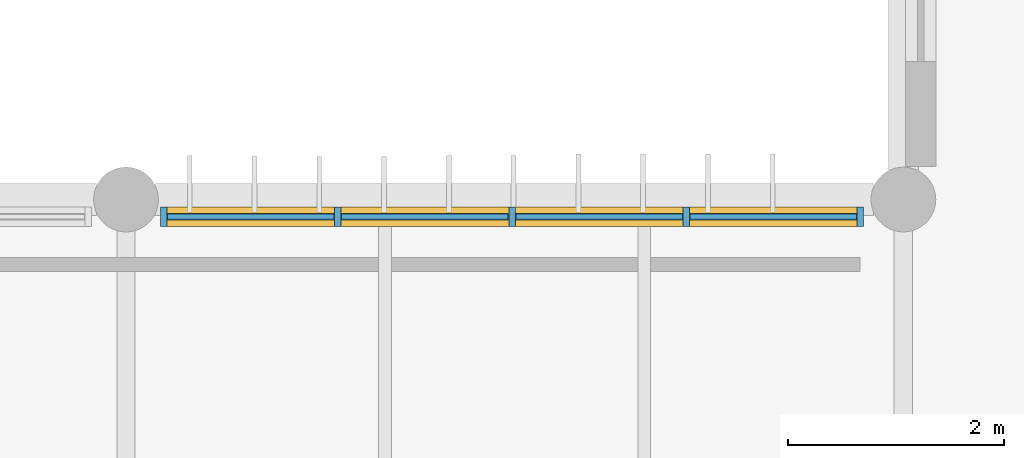
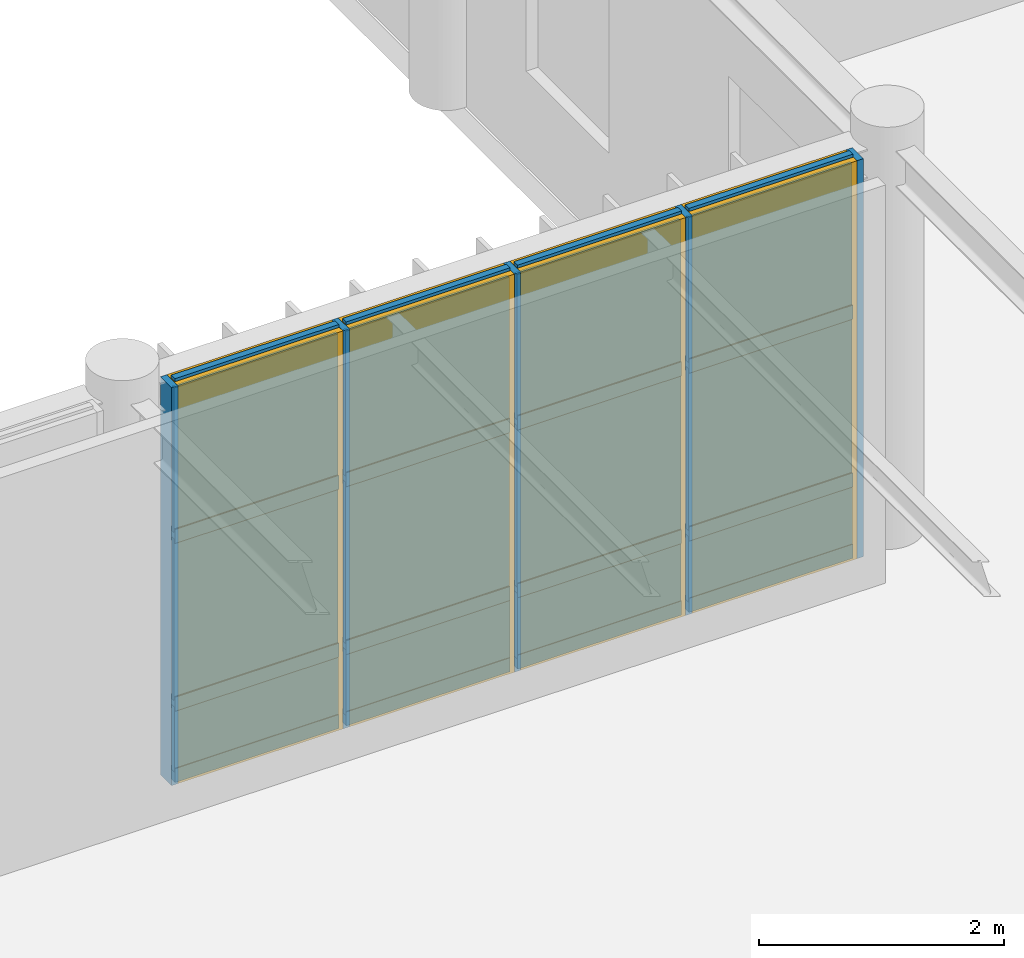
# One storey, part 61 of 104: 21 members, 12 plates, 1 curtain wall.
"""IFC4 building model written with IfcOpenShell, lengths in metres."""

from ifc_helpers import new_model, si_unit, direction, frame, frame_2d, origin, origin_2d, place, context, subcontext, project, spatial, rectangle, extrude, material, layer, layer_set, material_profile, profile_set, type_object, element, aggregate, save


model = new_model("IFC4")

# Units and contexts
model_context = context("Model", 3, precision=1e-05, world=origin(), true_north=direction((0.0, 1.0)))
body_context = subcontext(model_context, "Body", "Model", "MODEL_VIEW")
ifc_project = project(units=[si_unit("LENGTHUNIT", "METRE"), si_unit("AREAUNIT", "SQUARE_METRE"), si_unit("VOLUMEUNIT", "CUBIC_METRE"), si_unit("PLANEANGLEUNIT", "RADIAN"), si_unit("MASSUNIT", "GRAM", prefix="KILO")], contexts=[model_context])

# Member
ifc_material_1 = material(Name="Anodised Bronze Aluminium 6063-T6", Category="aluminium")
ifc_material_profile_1 = material_profile(ifc_material_1, rectangle(XDim=0.06005859375, YDim=0.179931640625, at=origin_2d()), Name="ALU MULLION 60x180")
ifc_profile_set_1 = profile_set([ifc_material_profile_1], Name="Anodised Bronze Aluminium 6063-T6")
member_type_1 = type_object("IfcMemberType", Name="Curtain-Wall Primary Mullion 60x180", PredefinedType="MULLION", material=ifc_profile_set_1)
site_placement = place(None, origin())
building_placement = place(site_placement, origin())
storey_placement = place(building_placement, frame((0.0, 0.0, 9.0)))
member_1_placement = place(storey_placement, frame((50.75, 30.0400390625, 0.0), z_axis=(0.0, 0.0, 1.0), x_axis=(1.0, 0.0, 0.0)))
member_1 = element("IfcMember", 1, at=member_1_placement, type_object=member_type_1, Name="Mullion CWM-01 CW-V5-NRET-W-L02-B3-M01", PredefinedType="MULLION", context=body_context, shape_type="SweptSolid", body=[
    extrude(rectangle(XDim=0.06005859375, YDim=0.179931640625, at=origin_2d()), origin(), (0.0, 0.0, 1.0), 3.9599609375),
])

member_2_placement = place(storey_placement, frame((52.362548828125, 30.0400390625, 0.0), z_axis=(0.0, 0.0, 1.0), x_axis=(1.0, 0.0, 0.0)))
member_2 = element("IfcMember", 2, at=member_2_placement, type_object=member_type_1, Name="Mullion CWM-01 CW-V5-NRET-W-L02-B3-M02", PredefinedType="MULLION", context=body_context, shape_type="SweptSolid", body=[
    extrude(rectangle(XDim=0.06005859375, YDim=0.179931640625, at=origin_2d()), origin(), (0.0, 0.0, 1.0), 3.9599609375),
])

member_3_placement = place(storey_placement, frame((53.97509765625, 30.0400390625, 0.0), z_axis=(0.0, 0.0, 1.0), x_axis=(1.0, 0.0, 0.0)))
member_3 = element("IfcMember", 3, at=member_3_placement, type_object=member_type_1, Name="Mullion CWM-01 CW-V5-NRET-W-L02-B3-M03", PredefinedType="MULLION", context=body_context, shape_type="SweptSolid", body=[
    extrude(rectangle(XDim=0.06005859375, YDim=0.179931640625, at=origin_2d()), origin(), (0.0, 0.0, 1.0), 3.9599609375),
])

member_4_placement = place(storey_placement, frame((55.58740234375, 30.0400390625, 0.0), z_axis=(0.0, 0.0, 1.0), x_axis=(1.0, 0.0, 0.0)))
member_4 = element("IfcMember", 4, at=member_4_placement, type_object=member_type_1, Name="Mullion CWM-01 CW-V5-NRET-W-L02-B3-M04", PredefinedType="MULLION", context=body_context, shape_type="SweptSolid", body=[
    extrude(rectangle(XDim=0.06005859375, YDim=0.179931640625, at=origin_2d()), origin(), (0.0, 0.0, 1.0), 3.9599609375),
])

member_5_placement = place(storey_placement, frame((57.199951171875, 30.0400390625, 0.0), z_axis=(0.0, 0.0, 1.0), x_axis=(1.0, 0.0, 0.0)))
member_5 = element("IfcMember", 5, at=member_5_placement, type_object=member_type_1, Name="Mullion CWM-01 CW-V5-NRET-W-L02-B3-M05", PredefinedType="MULLION", context=body_context, shape_type="SweptSolid", body=[
    extrude(rectangle(XDim=0.06005859375, YDim=0.179931640625, at=origin_2d()), origin(), (0.0, 0.0, 1.0), 3.9599609375),
])

ifc_material_profile_2 = material_profile(ifc_material_1, rectangle(XDim=0.06005859375, YDim=0.139892578125, at=origin_2d()), Name="ALU TRANSOM 60x140")
ifc_profile_set_2 = profile_set([ifc_material_profile_2], Name="Anodised Bronze Aluminium 6063-T6")
member_type_2 = type_object("IfcMemberType", Name="Curtain-Wall Transom 60x140", PredefinedType="USERDEFINED", material=ifc_profile_set_2)
member_6_placement = place(storey_placement, frame((50.784912109375, 30.0400390625, 0.0400390625), z_axis=(1.0, 0.0, 0.0), x_axis=(0.0, 1.0, 0.0)))
member_6 = element("IfcMember", 6, at=member_6_placement, type_object=member_type_2, Name="Transom CWT-01 CW-V5-NRET-W-L02-B3-T01.1", ObjectType="TRANSOM", PredefinedType="USERDEFINED", context=body_context, shape_type="SweptSolid", body=[
    extrude(rectangle(XDim=0.06005859375, YDim=0.139892578125, at=origin_2d()), origin(), (0.0, 0.0, 1.0), 1.54248046875),
])

member_7_placement = place(storey_placement, frame((50.784912109375, 30.0400390625, 0.75), z_axis=(1.0, 0.0, 0.0), x_axis=(0.0, 1.0, 0.0)))
member_7 = element("IfcMember", 7, at=member_7_placement, type_object=member_type_2, Name="Transom CWT-01 CW-V5-NRET-W-L02-B3-T01.2", ObjectType="TRANSOM", PredefinedType="USERDEFINED", context=body_context, shape_type="SweptSolid", body=[
    extrude(rectangle(XDim=0.06005859375, YDim=0.139892578125, at=origin_2d()), origin(), (0.0, 0.0, 1.0), 1.54248046875),
])

member_8_placement = place(storey_placement, frame((50.784912109375, 30.0400390625, 2.419189453125), z_axis=(1.0, 0.0, 0.0), x_axis=(0.0, 1.0, 0.0)))
member_8 = element("IfcMember", 8, at=member_8_placement, type_object=member_type_2, Name="Transom CWT-01 CW-V5-NRET-W-L02-B3-T01.3", ObjectType="TRANSOM", PredefinedType="USERDEFINED", context=body_context, shape_type="SweptSolid", body=[
    extrude(rectangle(XDim=0.06005859375, YDim=0.139892578125, at=origin_2d()), origin(), (0.0, 0.0, 1.0), 1.54248046875),
])

member_9_placement = place(storey_placement, frame((50.784912109375, 30.0400390625, 3.919921875), z_axis=(1.0, 0.0, 0.0), x_axis=(0.0, 1.0, 0.0)))
member_9 = element("IfcMember", 9, at=member_9_placement, type_object=member_type_2, Name="Transom CWT-01 CW-V5-NRET-W-L02-B3-T01.4", ObjectType="TRANSOM", PredefinedType="USERDEFINED", context=body_context, shape_type="SweptSolid", body=[
    extrude(rectangle(XDim=0.06005859375, YDim=0.139892578125, at=origin_2d()), origin(), (0.0, 0.0, 1.0), 1.54248046875),
])

member_10_placement = place(storey_placement, frame((52.3974609375, 30.0400390625, 0.0400390625), z_axis=(1.0, 0.0, 0.0), x_axis=(0.0, 1.0, 0.0)))
member_10 = element("IfcMember", 10, at=member_10_placement, type_object=member_type_2, Name="Transom CWT-01 CW-V5-NRET-W-L02-B3-T02.1", ObjectType="TRANSOM", PredefinedType="USERDEFINED", context=body_context, shape_type="SweptSolid", body=[
    extrude(rectangle(XDim=0.06005859375, YDim=0.139892578125, at=origin_2d()), origin(), (0.0, 0.0, 1.0), 1.54248046875),
])

member_11_placement = place(storey_placement, frame((52.3974609375, 30.0400390625, 0.75), z_axis=(1.0, 0.0, 0.0), x_axis=(0.0, 1.0, 0.0)))
member_11 = element("IfcMember", 11, at=member_11_placement, type_object=member_type_2, Name="Transom CWT-01 CW-V5-NRET-W-L02-B3-T02.2", ObjectType="TRANSOM", PredefinedType="USERDEFINED", context=body_context, shape_type="SweptSolid", body=[
    extrude(rectangle(XDim=0.06005859375, YDim=0.139892578125, at=origin_2d()), origin(), (0.0, 0.0, 1.0), 1.54248046875),
])

member_12_placement = place(storey_placement, frame((52.3974609375, 30.0400390625, 2.419189453125), z_axis=(1.0, 0.0, 0.0), x_axis=(0.0, 1.0, 0.0)))
member_12 = element("IfcMember", 12, at=member_12_placement, type_object=member_type_2, Name="Transom CWT-01 CW-V5-NRET-W-L02-B3-T02.3", ObjectType="TRANSOM", PredefinedType="USERDEFINED", context=body_context, shape_type="SweptSolid", body=[
    extrude(rectangle(XDim=0.06005859375, YDim=0.139892578125, at=origin_2d()), origin(), (0.0, 0.0, 1.0), 1.54248046875),
])

member_13_placement = place(storey_placement, frame((52.3974609375, 30.0400390625, 3.919921875), z_axis=(1.0, 0.0, 0.0), x_axis=(0.0, 1.0, 0.0)))
member_13 = element("IfcMember", 13, at=member_13_placement, type_object=member_type_2, Name="Transom CWT-01 CW-V5-NRET-W-L02-B3-T02.4", ObjectType="TRANSOM", PredefinedType="USERDEFINED", context=body_context, shape_type="SweptSolid", body=[
    extrude(rectangle(XDim=0.06005859375, YDim=0.139892578125, at=origin_2d()), origin(), (0.0, 0.0, 1.0), 1.54248046875),
])

member_14_placement = place(storey_placement, frame((54.010009765625, 30.0400390625, 0.0400390625), z_axis=(1.0, 0.0, 0.0), x_axis=(0.0, 1.0, 0.0)))
member_14 = element("IfcMember", 14, at=member_14_placement, type_object=member_type_2, Name="Transom CWT-01 CW-V5-NRET-W-L02-B3-T03.1", ObjectType="TRANSOM", PredefinedType="USERDEFINED", context=body_context, shape_type="SweptSolid", body=[
    extrude(rectangle(XDim=0.06005859375, YDim=0.139892578125, at=origin_2d()), origin(), (0.0, 0.0, 1.0), 1.54248046875),
])

member_15_placement = place(storey_placement, frame((54.010009765625, 30.0400390625, 0.75), z_axis=(1.0, 0.0, 0.0), x_axis=(0.0, 1.0, 0.0)))
member_15 = element("IfcMember", 15, at=member_15_placement, type_object=member_type_2, Name="Transom CWT-01 CW-V5-NRET-W-L02-B3-T03.2", ObjectType="TRANSOM", PredefinedType="USERDEFINED", context=body_context, shape_type="SweptSolid", body=[
    extrude(rectangle(XDim=0.06005859375, YDim=0.139892578125, at=origin_2d()), origin(), (0.0, 0.0, 1.0), 1.54248046875),
])

member_16_placement = place(storey_placement, frame((54.010009765625, 30.0400390625, 2.419189453125), z_axis=(1.0, 0.0, 0.0), x_axis=(0.0, 1.0, 0.0)))
member_16 = element("IfcMember", 16, at=member_16_placement, type_object=member_type_2, Name="Transom CWT-01 CW-V5-NRET-W-L02-B3-T03.3", ObjectType="TRANSOM", PredefinedType="USERDEFINED", context=body_context, shape_type="SweptSolid", body=[
    extrude(rectangle(XDim=0.06005859375, YDim=0.139892578125, at=origin_2d()), origin(), (0.0, 0.0, 1.0), 1.54248046875),
])

member_17_placement = place(storey_placement, frame((54.010009765625, 30.0400390625, 3.919921875), z_axis=(1.0, 0.0, 0.0), x_axis=(0.0, 1.0, 0.0)))
member_17 = element("IfcMember", 17, at=member_17_placement, type_object=member_type_2, Name="Transom CWT-01 CW-V5-NRET-W-L02-B3-T03.4", ObjectType="TRANSOM", PredefinedType="USERDEFINED", context=body_context, shape_type="SweptSolid", body=[
    extrude(rectangle(XDim=0.06005859375, YDim=0.139892578125, at=origin_2d()), origin(), (0.0, 0.0, 1.0), 1.54248046875),
])

member_18_placement = place(storey_placement, frame((55.62255859375, 30.0400390625, 0.0400390625), z_axis=(1.0, 0.0, 0.0), x_axis=(0.0, 1.0, 0.0)))
member_18 = element("IfcMember", 18, at=member_18_placement, type_object=member_type_2, Name="Transom CWT-01 CW-V5-NRET-W-L02-B3-T04.1", ObjectType="TRANSOM", PredefinedType="USERDEFINED", context=body_context, shape_type="SweptSolid", body=[
    extrude(rectangle(XDim=0.06005859375, YDim=0.139892578125, at=origin_2d()), origin(), (0.0, 0.0, 1.0), 1.54248046875),
])

member_19_placement = place(storey_placement, frame((55.62255859375, 30.0400390625, 0.75), z_axis=(1.0, 0.0, 0.0), x_axis=(0.0, 1.0, 0.0)))
member_19 = element("IfcMember", 19, at=member_19_placement, type_object=member_type_2, Name="Transom CWT-01 CW-V5-NRET-W-L02-B3-T04.2", ObjectType="TRANSOM", PredefinedType="USERDEFINED", context=body_context, shape_type="SweptSolid", body=[
    extrude(rectangle(XDim=0.06005859375, YDim=0.139892578125, at=origin_2d()), origin(), (0.0, 0.0, 1.0), 1.54248046875),
])

member_20_placement = place(storey_placement, frame((55.62255859375, 30.0400390625, 2.419189453125), z_axis=(1.0, 0.0, 0.0), x_axis=(0.0, 1.0, 0.0)))
member_20 = element("IfcMember", 20, at=member_20_placement, type_object=member_type_2, Name="Transom CWT-01 CW-V5-NRET-W-L02-B3-T04.3", ObjectType="TRANSOM", PredefinedType="USERDEFINED", context=body_context, shape_type="SweptSolid", body=[
    extrude(rectangle(XDim=0.06005859375, YDim=0.139892578125, at=origin_2d()), origin(), (0.0, 0.0, 1.0), 1.54248046875),
])

member_21_placement = place(storey_placement, frame((55.62255859375, 30.0400390625, 3.919921875), z_axis=(1.0, 0.0, 0.0), x_axis=(0.0, 1.0, 0.0)))
member_21 = element("IfcMember", 21, at=member_21_placement, type_object=member_type_2, Name="Transom CWT-01 CW-V5-NRET-W-L02-B3-T04.4", ObjectType="TRANSOM", PredefinedType="USERDEFINED", context=body_context, shape_type="SweptSolid", body=[
    extrude(rectangle(XDim=0.06005859375, YDim=0.139892578125, at=origin_2d()), origin(), (0.0, 0.0, 1.0), 1.54248046875),
])

# Plate
ifc_material_2 = material(Name="Insulated Bronze Aluminium Spandrel Panel", Category="aluminium")
ifc_layer_1 = layer(ifc_material_2, 0.050048828125, Name="Insulated Bronze Aluminium Spandrel Panel")
ifc_layer_set_1 = layer_set([ifc_layer_1], Name="Insulated Bronze Aluminium Spandrel Panel")
plate_type_1 = type_object("IfcPlateType", Name="Insulated Anodised Aluminium Spandrel Cassette 50", PredefinedType="CURTAIN_PANEL", material=ifc_layer_set_1)
plate_1_placement = place(storey_placement, frame((51.55615234375, 30.0400390625, 0.070068359375), z_axis=(0.0, 0.0, 1.0), x_axis=(1.0, 0.0, 0.0)))
plate_1 = element("IfcPlate", 22, at=plate_1_placement, type_object=plate_type_1, Name="Curtain Panel CWP-03 CW-V5-NRET-W-L02-B3-P01.1", PredefinedType="CURTAIN_PANEL", context=body_context, shape_type="SweptSolid", body=[
    extrude(rectangle(XDim=1.54248046875, YDim=0.050048828125, at=origin_2d()), origin(), (0.0, 0.0, 1.0), 0.64990234375),
])

plate_2_placement = place(storey_placement, frame((53.168701171875, 30.0400390625, 0.070068359375), z_axis=(0.0, 0.0, 1.0), x_axis=(1.0, 0.0, 0.0)))
plate_2 = element("IfcPlate", 23, at=plate_2_placement, type_object=plate_type_1, Name="Curtain Panel CWP-03 CW-V5-NRET-W-L02-B3-P02.1", PredefinedType="CURTAIN_PANEL", context=body_context, shape_type="SweptSolid", body=[
    extrude(rectangle(XDim=1.54248046875, YDim=0.050048828125, at=origin_2d()), origin(), (0.0, 0.0, 1.0), 0.64990234375),
])

plate_3_placement = place(storey_placement, frame((54.78125, 30.0400390625, 0.070068359375), z_axis=(0.0, 0.0, 1.0), x_axis=(1.0, 0.0, 0.0)))
plate_3 = element("IfcPlate", 24, at=plate_3_placement, type_object=plate_type_1, Name="Curtain Panel CWP-03 CW-V5-NRET-W-L02-B3-P03.1", PredefinedType="CURTAIN_PANEL", context=body_context, shape_type="SweptSolid", body=[
    extrude(rectangle(XDim=1.54248046875, YDim=0.050048828125, at=origin_2d()), origin(), (0.0, 0.0, 1.0), 0.64990234375),
])

plate_4_placement = place(storey_placement, frame((56.393798828125, 30.0400390625, 0.070068359375), z_axis=(0.0, 0.0, 1.0), x_axis=(1.0, 0.0, 0.0)))
plate_4 = element("IfcPlate", 25, at=plate_4_placement, type_object=plate_type_1, Name="Curtain Panel CWP-03 CW-V5-NRET-W-L02-B3-P04.1", PredefinedType="CURTAIN_PANEL", context=body_context, shape_type="SweptSolid", body=[
    extrude(rectangle(XDim=1.54248046875, YDim=0.050048828125, at=origin_2d()), origin(), (0.0, 0.0, 1.0), 0.64990234375),
])

ifc_material_3 = material(Name="Solar-Control Tempered Double Glazing", Category="glass")
ifc_layer_2 = layer(ifc_material_3, 0.0380859375, Name="Solar-Control Tempered Double Glazing")
ifc_layer_set_2 = layer_set([ifc_layer_2], Name="Solar-Control Tempered Double Glazing")
plate_type_2 = type_object("IfcPlateType", Name="Solar-Control Vision Glazing Unit 38", PredefinedType="CURTAIN_PANEL", material=ifc_layer_set_2)
plate_5_placement = place(storey_placement, frame((51.55615234375, 30.0400390625, 0.7802734375), z_axis=(0.0, 0.0, 1.0), x_axis=(1.0, 0.0, 0.0)))
plate_5 = element("IfcPlate", 26, at=plate_5_placement, type_object=plate_type_2, Name="Curtain Panel CWP-02 CW-V5-NRET-W-L02-B3-P01.2", PredefinedType="CURTAIN_PANEL", context=body_context, shape_type="SweptSolid", body=[
    extrude(rectangle(XDim=1.54248046875, YDim=0.0380859375, at=origin_2d()), origin(), (0.0, 0.0, 1.0), 1.609130859375),
])

plate_6_placement = place(storey_placement, frame((51.55615234375, 30.0400390625, 2.44921875), z_axis=(0.0, 0.0, 1.0), x_axis=(1.0, 0.0, 0.0)))
plate_6 = element("IfcPlate", 27, at=plate_6_placement, type_object=plate_type_2, Name="Curtain Panel CWP-02 CW-V5-NRET-W-L02-B3-P01.3", PredefinedType="CURTAIN_PANEL", context=body_context, shape_type="SweptSolid", body=[
    extrude(rectangle(XDim=1.54248046875, YDim=0.0380859375, at=origin_2d()), origin(), (0.0, 0.0, 1.0), 1.44091796875),
])

plate_7_placement = place(storey_placement, frame((53.168701171875, 30.0400390625, 0.7802734375), z_axis=(0.0, 0.0, 1.0), x_axis=(1.0, 0.0, 0.0)))
plate_7 = element("IfcPlate", 28, at=plate_7_placement, type_object=plate_type_2, Name="Curtain Panel CWP-02 CW-V5-NRET-W-L02-B3-P02.2", PredefinedType="CURTAIN_PANEL", context=body_context, shape_type="SweptSolid", body=[
    extrude(rectangle(XDim=1.54248046875, YDim=0.0380859375, at=origin_2d()), origin(), (0.0, 0.0, 1.0), 1.609130859375),
])

plate_8_placement = place(storey_placement, frame((53.168701171875, 30.0400390625, 2.44921875), z_axis=(0.0, 0.0, 1.0), x_axis=(1.0, 0.0, 0.0)))
plate_8 = element("IfcPlate", 29, at=plate_8_placement, type_object=plate_type_2, Name="Curtain Panel CWP-02 CW-V5-NRET-W-L02-B3-P02.3", PredefinedType="CURTAIN_PANEL", context=body_context, shape_type="SweptSolid", body=[
    extrude(rectangle(XDim=1.54248046875, YDim=0.0380859375, at=origin_2d()), origin(), (0.0, 0.0, 1.0), 1.44091796875),
])

plate_9_placement = place(storey_placement, frame((54.78125, 30.0400390625, 0.7802734375), z_axis=(0.0, 0.0, 1.0), x_axis=(1.0, 0.0, 0.0)))
plate_9 = element("IfcPlate", 30, at=plate_9_placement, type_object=plate_type_2, Name="Curtain Panel CWP-02 CW-V5-NRET-W-L02-B3-P03.2", PredefinedType="CURTAIN_PANEL", context=body_context, shape_type="SweptSolid", body=[
    extrude(rectangle(XDim=1.54248046875, YDim=0.0380859375, at=origin_2d()), origin(), (0.0, 0.0, 1.0), 1.609130859375),
])

plate_10_placement = place(storey_placement, frame((54.78125, 30.0400390625, 2.44921875), z_axis=(0.0, 0.0, 1.0), x_axis=(1.0, 0.0, 0.0)))
plate_10 = element("IfcPlate", 31, at=plate_10_placement, type_object=plate_type_2, Name="Curtain Panel CWP-02 CW-V5-NRET-W-L02-B3-P03.3", PredefinedType="CURTAIN_PANEL", context=body_context, shape_type="SweptSolid", body=[
    extrude(rectangle(XDim=1.54248046875, YDim=0.0380859375, at=origin_2d()), origin(), (0.0, 0.0, 1.0), 1.44091796875),
])

plate_11_placement = place(storey_placement, frame((56.393798828125, 30.0400390625, 0.7802734375), z_axis=(0.0, 0.0, 1.0), x_axis=(1.0, 0.0, 0.0)))
plate_11 = element("IfcPlate", 32, at=plate_11_placement, type_object=plate_type_2, Name="Curtain Panel CWP-02 CW-V5-NRET-W-L02-B3-P04.2", PredefinedType="CURTAIN_PANEL", context=body_context, shape_type="SweptSolid", body=[
    extrude(rectangle(XDim=1.54248046875, YDim=0.0380859375, at=origin_2d()), origin(), (0.0, 0.0, 1.0), 1.609130859375),
])

plate_12_placement = place(storey_placement, frame((56.393798828125, 30.0400390625, 2.44921875), z_axis=(0.0, 0.0, 1.0), x_axis=(1.0, 0.0, 0.0)))
plate_12 = element("IfcPlate", 33, at=plate_12_placement, type_object=plate_type_2, Name="Curtain Panel CWP-02 CW-V5-NRET-W-L02-B3-P04.3", PredefinedType="CURTAIN_PANEL", context=body_context, shape_type="SweptSolid", body=[
    extrude(rectangle(XDim=1.54248046875, YDim=0.0380859375, at=origin_2d()), origin(), (0.0, 0.0, 1.0), 1.44091796875),
])

# Site, building, storey
site = spatial("IfcSite", under=ifc_project, at=site_placement, CompositionType="ELEMENT")
building = spatial("IfcBuilding", under=site, at=building_placement, Name="Tazoul Stagehouse", CompositionType="ELEMENT")
storey = spatial("IfcBuildingStorey", under=building, at=storey_placement, Name="L02", CompositionType="ELEMENT", Elevation=9.0)

# Curtain wall
curtain_wall_type = type_object("IfcCurtainWallType", Name="Foyer Clear Solar-Control Curtain Wall", PredefinedType="NOTDEFINED", material=ifc_material_1)
curtain_wall_placement = place(storey_placement, frame((50.75, 30.0400390625, 0.0), z_axis=(0.0, 0.0, 1.0), x_axis=(1.0, 0.0, 0.0)))
curtain_wall = element("IfcCurtainWall", 34, at=curtain_wall_placement, inside=storey, type_object=curtain_wall_type, Name="L02 Curtain Wall CW-02 (CW-V5-NRET-W-L02-B3)", PredefinedType="NOTDEFINED", context=body_context, shape_type="SweptSolid", body=[
    extrude(rectangle(XDim=6.449951171875, YDim=0.179931640625, at=frame_2d((3.22509765625, 0.0))), origin(), (0.0, 0.0, 1.0), 3.9599609375),
])

aggregate(curtain_wall, [member_1, member_2, member_3, member_4, member_5, member_6, member_7, member_8, member_9, plate_1, plate_5, plate_6, member_10, member_11, member_12, member_13, plate_2, plate_7, plate_8, member_14, member_15, member_16, member_17, plate_3, plate_9, plate_10, member_18, member_19, member_20, member_21, plate_4, plate_11, plate_12])

save(model, "model.ifc")
